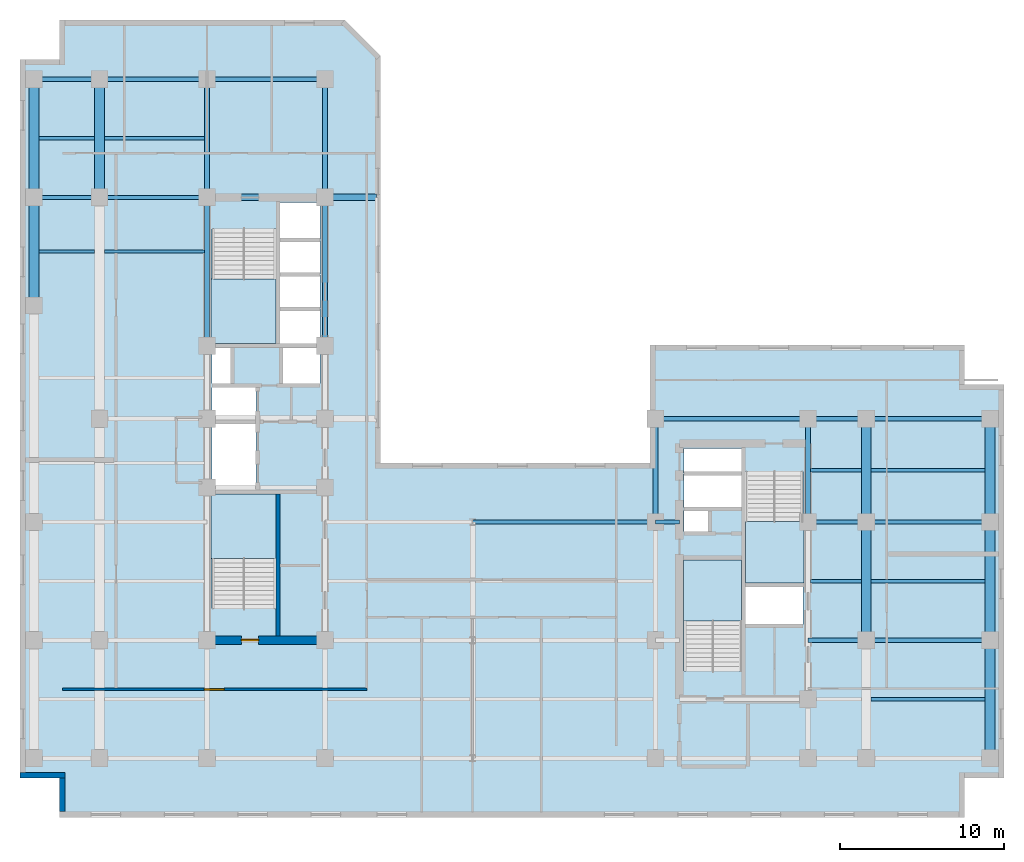
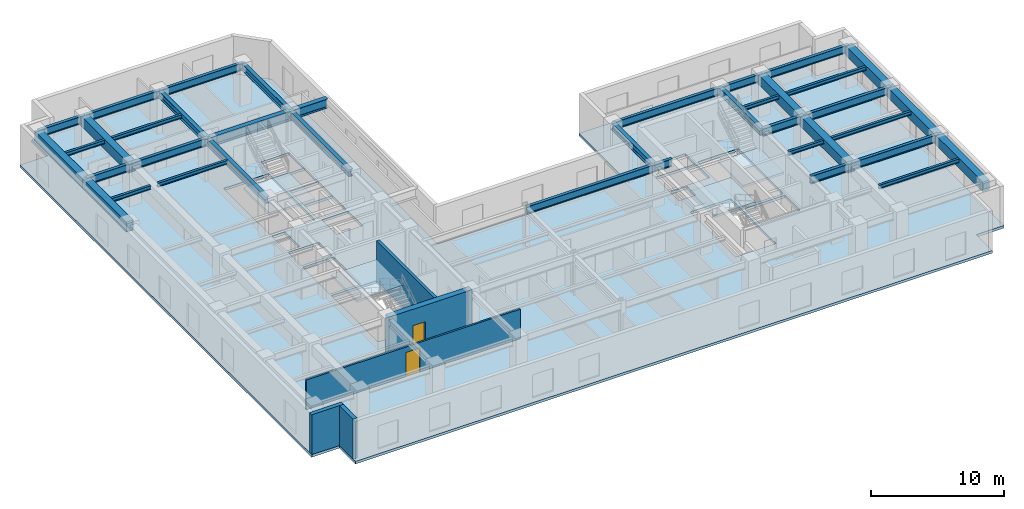
# One storey, part 2 of 9: 38 beams, 5 slabs, 5 walls, 2 doors, 2 openings, 4 elements without a shape of their own.
"""IFC4 building model written with IfcOpenShell, lengths in metres."""

from ifc_helpers import new_model, entity, si_unit, converted_unit, direction, frame, origin_with_axes, origin_2d_with_axis, place, context, subcontext, project, spatial, polyline, rectangle, i_section, outline, extrude, material, layer, layer_set, material_profile, profile_set, type_object, element, fill, aggregate, save


model = new_model("IFC4")

# Units and contexts
model_context = context("Model", 3, precision=1e-05, world=origin_with_axes(), true_north=direction((0.0, 1.0)))
body_context = subcontext(model_context, "Body", "Model", "MODEL_VIEW")
ifc_project = project(units=[si_unit("LENGTHUNIT", "METRE"), si_unit("AREAUNIT", "SQUARE_METRE"), si_unit("VOLUMEUNIT", "CUBIC_METRE"), converted_unit("PLANEANGLEUNIT", "DEGREE", entity("IfcPlaneAngleMeasure", 0.017453292519943295), si_unit("PLANEANGLEUNIT", "RADIAN"), dimensions=[0, 0, 0, 0, 0, 0, 0]), si_unit("MASSUNIT", "GRAM", prefix="KILO"), si_unit("THERMODYNAMICTEMPERATUREUNIT", "KELVIN")], contexts=[model_context])

# Site, building, storey
site_placement = place(None, origin_with_axes())
site = spatial("IfcSite", under=ifc_project, at=site_placement, CompositionType="ELEMENT")
building_placement = place(site_placement, origin_with_axes())
building = spatial("IfcBuilding", under=site, at=building_placement, Name="Varnlund Millrace Tower", CompositionType="ELEMENT")
storey_placement = place(building_placement, frame((0.0, 0.0, 140.7), z_axis=(0.0, 0.0, 1.0), x_axis=(1.0, 0.0, 0.0)))
storey = spatial("IfcBuildingStorey", under=building, at=storey_placement, Name="L34", CompositionType="ELEMENT", Elevation=140.7)

# Beams
ifc_material_1 = material(Name="Steel ASTM A992 Grade 50", Category="steel")
ifc_material_profile_1 = material_profile(ifc_material_1, i_section(OverallWidth=0.328, OverallDepth=0.628, WebThickness=0.0165, FlangeThickness=0.0277, FilletRadius=0.018, at=origin_2d_with_axis()), Name="Steel ASTM A992 Grade 50")
ifc_profile_set_1 = profile_set([ifc_material_profile_1], Name="Steel ASTM A992 Grade 50")
beam_type_1 = type_object("IfcBeamType", Name="Type-Girder-W24X146", PredefinedType="USERDEFINED", material=ifc_profile_set_1)
beam_1_placement = place(storey_placement, frame((11.4, 28.75, 3.346), z_axis=(0.0, 1.0, 0.0), x_axis=(-1.0, 0.0, 0.0)))
element("IfcBeam", 1, at=beam_1_placement, inside=storey, type_object=beam_type_1, Name="Type-Girder-W24X146", ObjectType="GIRDER", PredefinedType="USERDEFINED", context=body_context, shape_type="SweptSolid", body=[
    extrude(i_section(OverallWidth=0.328, OverallDepth=0.628, WebThickness=0.0165, FlangeThickness=0.0277, FilletRadius=0.018, at=origin_2d_with_axis()), origin_with_axes(), (0.0, 0.0, 1.0), 9.05),
])
beam_2_placement = place(storey_placement, frame((11.4, 37.8, 3.346), z_axis=(0.0, 1.0, 0.0), x_axis=(-1.0, 0.0, 0.0)))
element("IfcBeam", 2, at=beam_2_placement, inside=storey, type_object=beam_type_1, Name="Type-Girder-W24X146", ObjectType="GIRDER", PredefinedType="USERDEFINED", context=body_context, shape_type="SweptSolid", body=[
    extrude(i_section(OverallWidth=0.328, OverallDepth=0.628, WebThickness=0.0165, FlangeThickness=0.0277, FilletRadius=0.018, at=origin_2d_with_axis()), origin_with_axes(), (0.0, 0.0, 1.0), 7.2),
])
beam_3_placement = place(storey_placement, frame((18.6, 28.75, 3.346), z_axis=(0.0, 1.0, 0.0), x_axis=(-1.0, 0.0, 0.0)))
element("IfcBeam", 3, at=beam_3_placement, inside=storey, type_object=beam_type_1, Name="Type-Girder-W24X146", ObjectType="GIRDER", PredefinedType="USERDEFINED", context=body_context, shape_type="SweptSolid", body=[
    extrude(i_section(OverallWidth=0.328, OverallDepth=0.628, WebThickness=0.0165, FlangeThickness=0.0277, FilletRadius=0.018, at=origin_2d_with_axis()), origin_with_axes(), (0.0, 0.0, 1.0), 9.05),
])
beam_4_placement = place(storey_placement, frame((18.6, 37.8, 3.346), z_axis=(0.0, 1.0, 0.0), x_axis=(-1.0, 0.0, 0.0)))
element("IfcBeam", 4, at=beam_4_placement, inside=storey, type_object=beam_type_1, Name="Type-Girder-W24X146", ObjectType="GIRDER", PredefinedType="USERDEFINED", context=body_context, shape_type="SweptSolid", body=[
    extrude(i_section(OverallWidth=0.328, OverallDepth=0.628, WebThickness=0.0165, FlangeThickness=0.0277, FilletRadius=0.018, at=origin_2d_with_axis()), origin_with_axes(), (0.0, 0.0, 1.0), 7.2),
])
for number, where, z_axis, x_axis, name in (
    (5, (38.75, 18.0, 3.346), (0.0, 1.0, 0.0), (-1.0, 0.0, 0.0), "Type-Girder-W24X146"),
    (6, (48.05, 18.0, 3.346), (0.0, 1.0, 0.0), (-1.0, 0.0, 0.0), "Type-Girder-W24X146"),
):
    element("IfcBeam", number, at=place(storey_placement, frame(where, z_axis=z_axis, x_axis=x_axis)), inside=storey, type_object=beam_type_1, Name=name, ObjectType="GIRDER", PredefinedType="USERDEFINED", context=body_context, shape_type="SweptSolid", body=[
        extrude(i_section(OverallWidth=0.328, OverallDepth=0.628, WebThickness=0.0165, FlangeThickness=0.0277, FilletRadius=0.018, at=origin_2d_with_axis()), origin_with_axes(), (0.0, 0.0, 1.0), 6.3),
    ])
ifc_material_profile_2 = material_profile(ifc_material_1, i_section(OverallWidth=0.256, OverallDepth=0.693, WebThickness=0.0145, FlangeThickness=0.0236, FilletRadius=0.018, at=origin_2d_with_axis()), Name="Steel ASTM A992 Grade 50")
ifc_profile_set_2 = profile_set([ifc_material_profile_2], Name="Steel ASTM A992 Grade 50")
beam_type_2 = type_object("IfcBeamType", Name="Type-Girder-W27X114", PredefinedType="USERDEFINED", material=ifc_profile_set_2)
beam_5_placement = place(storey_placement, frame((48.05, 10.8, 3.3135), z_axis=(1.0, 0.0, 0.0), x_axis=(0.0, 1.0, 0.0)))
element("IfcBeam", 7, at=beam_5_placement, inside=storey, type_object=beam_type_2, Name="Type-Girder-W27X114", ObjectType="GIRDER", PredefinedType="USERDEFINED", context=body_context, shape_type="SweptSolid", body=[
    extrude(i_section(OverallWidth=0.256, OverallDepth=0.693, WebThickness=0.0145, FlangeThickness=0.0236, FilletRadius=0.018, at=origin_2d_with_axis()), origin_with_axes(), (0.0, 0.0, 1.0), 3.55),
])
beam_6_placement = place(storey_placement, frame((51.6, 10.8, 3.3135), z_axis=(1.0, 0.0, 0.0), x_axis=(0.0, 1.0, 0.0)))
element("IfcBeam", 8, at=beam_6_placement, inside=storey, type_object=beam_type_2, Name="Type-Girder-W27X114", ObjectType="GIRDER", PredefinedType="USERDEFINED", context=body_context, shape_type="SweptSolid", body=[
    extrude(i_section(OverallWidth=0.256, OverallDepth=0.693, WebThickness=0.0145, FlangeThickness=0.0236, FilletRadius=0.018, at=origin_2d_with_axis()), origin_with_axes(), (0.0, 0.0, 1.0), 7.55),
])
beam_7_placement = place(storey_placement, frame((27.6, 18.0, 3.3135), z_axis=(1.0, 0.0, 0.0), x_axis=(0.0, 1.0, 0.0)))
element("IfcBeam", 9, at=beam_7_placement, inside=storey, type_object=beam_type_2, Name="Type-Girder-W27X114", ObjectType="GIRDER", PredefinedType="USERDEFINED", context=body_context, shape_type="SweptSolid", body=[
    extrude(i_section(OverallWidth=0.256, OverallDepth=0.693, WebThickness=0.0145, FlangeThickness=0.0236, FilletRadius=0.018, at=origin_2d_with_axis()), origin_with_axes(), (0.0, 0.0, 1.0), 11.15),
])
beam_8_placement = place(storey_placement, frame((38.75, 18.0, 3.3135), z_axis=(1.0, 0.0, 0.0), x_axis=(0.0, 1.0, 0.0)))
element("IfcBeam", 10, at=beam_8_placement, inside=storey, type_object=beam_type_2, Name="Type-Girder-W27X114", ObjectType="GIRDER", PredefinedType="USERDEFINED", context=body_context, shape_type="SweptSolid", body=[
    extrude(i_section(OverallWidth=0.256, OverallDepth=0.693, WebThickness=0.0145, FlangeThickness=0.0236, FilletRadius=0.018, at=origin_2d_with_axis()), origin_with_axes(), (0.0, 0.0, 1.0), 1.45),
])
beam_9_placement = place(storey_placement, frame((48.05, 18.0, 3.3135), z_axis=(1.0, 0.0, 0.0), x_axis=(0.0, 1.0, 0.0)))
element("IfcBeam", 11, at=beam_9_placement, inside=storey, type_object=beam_type_2, Name="Type-Girder-W27X114", ObjectType="GIRDER", PredefinedType="USERDEFINED", context=body_context, shape_type="SweptSolid", body=[
    extrude(i_section(OverallWidth=0.256, OverallDepth=0.693, WebThickness=0.0145, FlangeThickness=0.0236, FilletRadius=0.018, at=origin_2d_with_axis()), origin_with_axes(), (0.0, 0.0, 1.0), 3.55),
])
beam_10_placement = place(storey_placement, frame((51.6, 18.0, 3.3135), z_axis=(1.0, 0.0, 0.0), x_axis=(0.0, 1.0, 0.0)))
element("IfcBeam", 12, at=beam_10_placement, inside=storey, type_object=beam_type_2, Name="Type-Girder-W27X114", ObjectType="GIRDER", PredefinedType="USERDEFINED", context=body_context, shape_type="SweptSolid", body=[
    extrude(i_section(OverallWidth=0.256, OverallDepth=0.693, WebThickness=0.0145, FlangeThickness=0.0236, FilletRadius=0.018, at=origin_2d_with_axis()), origin_with_axes(), (0.0, 0.0, 1.0), 7.55),
])
beam_11_placement = place(storey_placement, frame((38.75, 24.3, 3.3135), z_axis=(1.0, 0.0, 0.0), x_axis=(0.0, 1.0, 0.0)))
element("IfcBeam", 13, at=beam_11_placement, inside=storey, type_object=beam_type_2, Name="Type-Girder-W27X114", ObjectType="GIRDER", PredefinedType="USERDEFINED", context=body_context, shape_type="SweptSolid", body=[
    extrude(i_section(OverallWidth=0.256, OverallDepth=0.693, WebThickness=0.0145, FlangeThickness=0.0236, FilletRadius=0.018, at=origin_2d_with_axis()), origin_with_axes(), (0.0, 0.0, 1.0), 9.3),
])
beam_12_placement = place(storey_placement, frame((48.05, 24.3, 3.3135), z_axis=(1.0, 0.0, 0.0), x_axis=(0.0, 1.0, 0.0)))
element("IfcBeam", 14, at=beam_12_placement, inside=storey, type_object=beam_type_2, Name="Type-Girder-W27X114", ObjectType="GIRDER", PredefinedType="USERDEFINED", context=body_context, shape_type="SweptSolid", body=[
    extrude(i_section(OverallWidth=0.256, OverallDepth=0.693, WebThickness=0.0145, FlangeThickness=0.0236, FilletRadius=0.018, at=origin_2d_with_axis()), origin_with_axes(), (0.0, 0.0, 1.0), 3.55),
])
beam_13_placement = place(storey_placement, frame((51.6, 24.3, 3.3135), z_axis=(1.0, 0.0, 0.0), x_axis=(0.0, 1.0, 0.0)))
element("IfcBeam", 15, at=beam_13_placement, inside=storey, type_object=beam_type_2, Name="Type-Girder-W27X114", ObjectType="GIRDER", PredefinedType="USERDEFINED", context=body_context, shape_type="SweptSolid", body=[
    extrude(i_section(OverallWidth=0.256, OverallDepth=0.693, WebThickness=0.0145, FlangeThickness=0.0236, FilletRadius=0.018, at=origin_2d_with_axis()), origin_with_axes(), (0.0, 0.0, 1.0), 7.55),
])
beam_14_placement = place(storey_placement, frame((0.85, 37.8, 3.3135), z_axis=(1.0, 0.0, 0.0), x_axis=(0.0, 1.0, 0.0)))
element("IfcBeam", 16, at=beam_14_placement, inside=storey, type_object=beam_type_2, Name="Type-Girder-W27X114", ObjectType="GIRDER", PredefinedType="USERDEFINED", context=body_context, shape_type="SweptSolid", body=[
    extrude(i_section(OverallWidth=0.256, OverallDepth=0.693, WebThickness=0.0145, FlangeThickness=0.0236, FilletRadius=0.018, at=origin_2d_with_axis()), origin_with_axes(), (0.0, 0.0, 1.0), 4.0),
])
beam_15_placement = place(storey_placement, frame((4.85, 37.8, 3.3135), z_axis=(1.0, 0.0, 0.0), x_axis=(0.0, 1.0, 0.0)))
element("IfcBeam", 17, at=beam_15_placement, inside=storey, type_object=beam_type_2, Name="Type-Girder-W27X114", ObjectType="GIRDER", PredefinedType="USERDEFINED", context=body_context, shape_type="SweptSolid", body=[
    extrude(i_section(OverallWidth=0.256, OverallDepth=0.693, WebThickness=0.0145, FlangeThickness=0.0236, FilletRadius=0.018, at=origin_2d_with_axis()), origin_with_axes(), (0.0, 0.0, 1.0), 6.55),
])
beam_16_placement = place(storey_placement, frame((0.85, 45.0, 3.3135), z_axis=(1.0, 0.0, 0.0), x_axis=(0.0, 1.0, 0.0)))
element("IfcBeam", 18, at=beam_16_placement, inside=storey, type_object=beam_type_2, Name="Type-Girder-W27X114", ObjectType="GIRDER", PredefinedType="USERDEFINED", context=body_context, shape_type="SweptSolid", body=[
    extrude(i_section(OverallWidth=0.256, OverallDepth=0.693, WebThickness=0.0145, FlangeThickness=0.0236, FilletRadius=0.018, at=origin_2d_with_axis()), origin_with_axes(), (0.0, 0.0, 1.0), 4.0),
])
beam_17_placement = place(storey_placement, frame((4.85, 45.0, 3.3135), z_axis=(1.0, 0.0, 0.0), x_axis=(0.0, 1.0, 0.0)))
element("IfcBeam", 19, at=beam_17_placement, inside=storey, type_object=beam_type_2, Name="Type-Girder-W27X114", ObjectType="GIRDER", PredefinedType="USERDEFINED", context=body_context, shape_type="SweptSolid", body=[
    extrude(i_section(OverallWidth=0.256, OverallDepth=0.693, WebThickness=0.0145, FlangeThickness=0.0236, FilletRadius=0.018, at=origin_2d_with_axis()), origin_with_axes(), (0.0, 0.0, 1.0), 6.55),
])
beam_18_placement = place(storey_placement, frame((11.4, 45.0, 3.3135), z_axis=(1.0, 0.0, 0.0), x_axis=(0.0, 1.0, 0.0)))
element("IfcBeam", 20, at=beam_18_placement, inside=storey, type_object=beam_type_2, Name="Type-Girder-W27X114", ObjectType="GIRDER", PredefinedType="USERDEFINED", context=body_context, shape_type="SweptSolid", body=[
    extrude(i_section(OverallWidth=0.256, OverallDepth=0.693, WebThickness=0.0145, FlangeThickness=0.0236, FilletRadius=0.018, at=origin_2d_with_axis()), origin_with_axes(), (0.0, 0.0, 1.0), 7.2),
])
ifc_material_profile_3 = material_profile(ifc_material_1, i_section(OverallWidth=0.399, OverallDepth=0.855, WebThickness=0.0182, FlangeThickness=0.0292, FilletRadius=0.022, at=origin_2d_with_axis()), Name="Steel ASTM A992 Grade 50")
ifc_profile_set_3 = profile_set([ifc_material_profile_3], Name="Steel ASTM A992 Grade 50")
beam_type_3 = type_object("IfcBeamType", Name="Type-Girder-W33X201", PredefinedType="USERDEFINED", material=ifc_profile_set_3)
beam_19_placement = place(storey_placement, frame((11.4, 37.8, 3.2325), z_axis=(1.0, 0.0, 0.0), x_axis=(0.0, 1.0, 0.0)))
element("IfcBeam", 21, at=beam_19_placement, inside=storey, type_object=beam_type_3, Name="Type-Girder-W33X201", ObjectType="GIRDER", PredefinedType="USERDEFINED", context=body_context, shape_type="SweptSolid", body=[
    extrude(i_section(OverallWidth=0.399, OverallDepth=0.855, WebThickness=0.0182, FlangeThickness=0.0292, FilletRadius=0.022, at=origin_2d_with_axis()), origin_with_axes(), (0.0, 0.0, 1.0), 10.339),
])
ifc_material_profile_4 = material_profile(ifc_material_1, i_section(OverallWidth=0.204, OverallDepth=0.35, WebThickness=0.0086, FlangeThickness=0.0151, FilletRadius=0.013, at=origin_2d_with_axis()), Name="Steel ASTM A992 Grade 50")
ifc_profile_set_4 = profile_set([ifc_material_profile_4], Name="Steel ASTM A992 Grade 50")
beam_type_4 = type_object("IfcBeamType", Name="Type-Joist-W14X48", PredefinedType="JOIST", material=ifc_profile_set_4)
for number, where, z_axis, x_axis, name in (
    (22, (1.15, 34.5, 3.485), (1.0, 0.0, 0.0), (0.0, 1.0, 0.0), "Type-Joist-W14X48"),
    (23, (1.15, 41.4, 3.485), (1.0, 0.0, 0.0), (0.0, 1.0, 0.0), "Type-Joist-W14X48"),
):
    element("IfcBeam", number, at=place(storey_placement, frame(where, z_axis=z_axis, x_axis=x_axis)), inside=storey, type_object=beam_type_4, Name=name, PredefinedType="JOIST", context=body_context, shape_type="SweptSolid", body=[
        extrude(i_section(OverallWidth=0.204, OverallDepth=0.35, WebThickness=0.0086, FlangeThickness=0.0151, FilletRadius=0.013, at=origin_2d_with_axis()), origin_with_axes(), (0.0, 0.0, 1.0), 3.4),
    ])
for number, where, z_axis, x_axis, name in (
    (24, (5.15, 34.5, 3.485), (1.0, 0.0, 0.0), (0.0, 1.0, 0.0), "Type-Joist-W14X48"),
    (25, (5.15, 41.4, 3.485), (1.0, 0.0, 0.0), (0.0, 1.0, 0.0), "Type-Joist-W14X48"),
):
    element("IfcBeam", number, at=place(storey_placement, frame(where, z_axis=z_axis, x_axis=x_axis)), inside=storey, type_object=beam_type_4, Name=name, PredefinedType="JOIST", context=body_context, shape_type="SweptSolid", body=[
        extrude(i_section(OverallWidth=0.204, OverallDepth=0.35, WebThickness=0.0086, FlangeThickness=0.0151, FilletRadius=0.013, at=origin_2d_with_axis()), origin_with_axes(), (0.0, 0.0, 1.0), 6.086),
    ])
for number, where, z_axis, x_axis, name in (
    (26, (48.214, 14.4, 3.485), (1.0, 0.0, 0.0), (0.0, 1.0, 0.0), "Type-Joist-W14X48"),
    (27, (48.214, 21.15, 3.485), (1.0, 0.0, 0.0), (0.0, 1.0, 0.0), "Type-Joist-W14X48"),
):
    element("IfcBeam", number, at=place(storey_placement, frame(where, z_axis=z_axis, x_axis=x_axis)), inside=storey, type_object=beam_type_4, Name=name, PredefinedType="JOIST", context=body_context, shape_type="SweptSolid", body=[
        extrude(i_section(OverallWidth=0.204, OverallDepth=0.35, WebThickness=0.0086, FlangeThickness=0.0151, FilletRadius=0.013, at=origin_2d_with_axis()), origin_with_axes(), (0.0, 0.0, 1.0), 3.086),
    ])
for number, where, z_axis, x_axis, name in (
    (28, (51.9, 7.2, 3.485), (1.0, 0.0, 0.0), (0.0, 1.0, 0.0), "Type-Joist-W14X48"),
    (29, (51.9, 14.4, 3.485), (1.0, 0.0, 0.0), (0.0, 1.0, 0.0), "Type-Joist-W14X48"),
    (30, (51.9, 21.15, 3.485), (1.0, 0.0, 0.0), (0.0, 1.0, 0.0), "Type-Joist-W14X48"),
):
    element("IfcBeam", number, at=place(storey_placement, frame(where, z_axis=z_axis, x_axis=x_axis)), inside=storey, type_object=beam_type_4, Name=name, PredefinedType="JOIST", context=body_context, shape_type="SweptSolid", body=[
        extrude(i_section(OverallWidth=0.204, OverallDepth=0.35, WebThickness=0.0086, FlangeThickness=0.0151, FilletRadius=0.013, at=origin_2d_with_axis()), origin_with_axes(), (0.0, 0.0, 1.0), 6.95),
    ])
ifc_material_2 = material(Name="Concrete C70/85", Category="concrete")
ifc_material_profile_5 = material_profile(ifc_material_2, rectangle(XDim=0.6, YDim=0.9, at=origin_2d_with_axis()), Name="Concrete C70/85")
ifc_profile_set_5 = profile_set([ifc_material_profile_5], Name="Concrete C70/85")
beam_type_5 = type_object("IfcBeamType", Name="Type-Spandrel-RC600X900", PredefinedType="SPANDREL", material=ifc_profile_set_5)
beam_20_placement = place(storey_placement, frame((0.85, 31.2, 3.21), z_axis=(0.0, 1.0, 0.0), x_axis=(-1.0, 0.0, 0.0)))
element("IfcBeam", 31, at=beam_20_placement, inside=storey, type_object=beam_type_5, Name="Type-Spandrel-RC600X900", PredefinedType="SPANDREL", context=body_context, shape_type="SweptSolid", body=[
    extrude(rectangle(XDim=0.6, YDim=0.9, at=origin_2d_with_axis()), origin_with_axes(), (0.0, 0.0, 1.0), 6.6),
])
for number, where, z_axis, x_axis, name in (
    (32, (0.85, 37.8, 3.21), (0.0, 1.0, 0.0), (-1.0, 0.0, 0.0), "Type-Spandrel-RC600X900"),
    (33, (4.85, 37.8, 3.21), (0.0, 1.0, 0.0), (-1.0, 0.0, 0.0), "Type-Spandrel-RC600X900"),
    (34, (51.6, 10.8, 3.21), (0.0, 1.0, 0.0), (-1.0, 0.0, 0.0), "Type-Spandrel-RC600X900"),
):
    element("IfcBeam", number, at=place(storey_placement, frame(where, z_axis=z_axis, x_axis=x_axis)), inside=storey, type_object=beam_type_5, Name=name, PredefinedType="SPANDREL", context=body_context, shape_type="SweptSolid", body=[
        extrude(rectangle(XDim=0.6, YDim=0.9, at=origin_2d_with_axis()), origin_with_axes(), (0.0, 0.0, 1.0), 7.2),
    ])
beam_21_placement = place(storey_placement, frame((51.6, 18.0, 3.21), z_axis=(0.0, 1.0, 0.0), x_axis=(-1.0, 0.0, 0.0)))
element("IfcBeam", 35, at=beam_21_placement, inside=storey, type_object=beam_type_5, Name="Type-Spandrel-RC600X900", PredefinedType="SPANDREL", context=body_context, shape_type="SweptSolid", body=[
    extrude(rectangle(XDim=0.6, YDim=0.9, at=origin_2d_with_axis()), origin_with_axes(), (0.0, 0.0, 1.0), 6.3),
])
for number, where, z_axis, x_axis, name in (
    (36, (59.15, 3.6, 3.21), (0.0, 1.0, 0.0), (-1.0, 0.0, 0.0), "Type-Spandrel-RC600X900"),
    (37, (59.15, 10.8, 3.21), (0.0, 1.0, 0.0), (-1.0, 0.0, 0.0), "Type-Spandrel-RC600X900"),
):
    element("IfcBeam", number, at=place(storey_placement, frame(where, z_axis=z_axis, x_axis=x_axis)), inside=storey, type_object=beam_type_5, Name=name, PredefinedType="SPANDREL", context=body_context, shape_type="SweptSolid", body=[
        extrude(rectangle(XDim=0.6, YDim=0.9, at=origin_2d_with_axis()), origin_with_axes(), (0.0, 0.0, 1.0), 7.2),
    ])
beam_22_placement = place(storey_placement, frame((59.15, 18.0, 3.21), z_axis=(0.0, 1.0, 0.0), x_axis=(-1.0, 0.0, 0.0)))
element("IfcBeam", 38, at=beam_22_placement, inside=storey, type_object=beam_type_5, Name="Type-Spandrel-RC600X900", PredefinedType="SPANDREL", context=body_context, shape_type="SweptSolid", body=[
    extrude(rectangle(XDim=0.6, YDim=0.9, at=origin_2d_with_axis()), origin_with_axes(), (0.0, 0.0, 1.0), 6.3),
])

# Slab
ifc_material_3 = material(Name="Concrete C60/75", Category="concrete")
ifc_layer_1 = layer(ifc_material_3, 0.24, Name="Concrete C60/75")
ifc_layer_set_1 = layer_set([ifc_layer_1], Name="Concrete C60/75")
slab_type_1 = type_object("IfcSlabType", Name="Type-Deck-Plate-Typical-240", PredefinedType="FLOOR", material=ifc_layer_set_1)
slab_1_placement = place(storey_placement, frame((0.0, 0.0, -0.24), z_axis=(0.0, 0.0, 1.0), x_axis=(1.0, 0.0, 0.0)))
element("IfcSlab", 39, at=slab_1_placement, inside=storey, type_object=slab_type_1, Name="Type-Deck-Plate-Typical-240", PredefinedType="FLOOR", context=body_context, shape_type="SweptSolid", body=[
    extrude(outline(polyline([(21.989, 21.6), (21.989, 46.44), (19.829, 48.6), (2.4, 48.6), (2.4, 46.2), (0.0, 46.2), (0.0, 2.4), (2.4, 2.4), (2.4, 0.0), (57.6, 0.0), (57.6, 2.4), (60.0, 2.4), (60.0, 26.4), (57.6, 26.4), (57.6, 28.8), (38.4, 28.8), (38.4, 21.6), (21.989, 21.6)]), holes=[polyline([(15.6, 12.715), (11.7, 12.715), (11.7, 19.7), (15.6, 19.7), (15.6, 12.715)]), polyline([(14.38, 23.98), (14.38, 19.94), (11.7, 19.94), (11.7, 23.98), (14.38, 23.98)]), polyline([(14.38, 24.24), (11.7, 24.24), (11.7, 26.2), (14.38, 26.2), (14.38, 24.24)]), polyline([(12.84, 26.46), (11.7, 26.46), (11.7, 28.65), (12.84, 28.65), (12.84, 26.46)]), polyline([(18.3, 28.9), (15.84, 28.9), (15.84, 30.98), (18.3, 30.98), (18.3, 28.9)]), polyline([(18.3, 31.02), (15.84, 31.02), (15.84, 33.08), (18.3, 33.08), (18.3, 31.02)]), polyline([(15.6, 28.9), (11.7, 28.9), (11.7, 35.885), (15.6, 35.885), (15.6, 28.9)]), polyline([(18.3, 33.12), (15.84, 33.12), (15.84, 35.18), (18.3, 35.18), (18.3, 33.12)]), polyline([(44.0, 8.915), (40.5, 8.915), (40.5, 15.7), (44.0, 15.7), (44.0, 8.915)]), polyline([(47.75, 11.74), (44.25, 11.74), (44.25, 14.06), (47.75, 14.06), (47.75, 11.74)]), polyline([(47.75, 14.3), (44.25, 14.3), (44.25, 21.085), (47.75, 21.085), (47.75, 14.3)]), polyline([(41.95, 17.42), (40.5, 17.42), (40.5, 18.72), (41.95, 18.72), (41.95, 17.42)]), polyline([(44.0, 18.88), (40.5, 18.88), (40.5, 20.94), (44.0, 20.94), (44.0, 18.88)]), polyline([(44.0, 21.0), (40.5, 21.0), (40.5, 22.5), (44.0, 22.5), (44.0, 21.0)]), polyline([(16.04, 26.46), (16.04, 28.65), (18.3, 28.65), (18.3, 26.46), (16.04, 26.46)]), polyline([(15.84, 35.22), (15.84, 37.5), (18.3, 37.5), (18.3, 35.22), (15.84, 35.22)])]), origin_with_axes(), (0.0, 0.0, 1.0), 0.24),
])

# Stair, slab
ifc_material_4 = material(Name="Concrete C50/60", Category="concrete")
stair_type_1 = type_object("IfcStairType", Name="Type-Stair-Dogleg-185-390", PredefinedType="HALF_TURN_STAIR", material=ifc_material_4)
stair_1_placement = place(storey_placement, origin_with_axes())
stair_1 = element("IfcStair", 40, at=stair_1_placement, inside=storey, type_object=stair_type_1, Name="Type-Stair-Dogleg-185-390", PredefinedType="HALF_TURN_STAIR")
ifc_layer_2 = layer(ifc_material_4, 0.2, Name="Concrete C50/60")
ifc_layer_set_2 = layer_set([ifc_layer_2], Name="Concrete C50/60")
slab_type_2 = type_object("IfcSlabType", Name="Type-StairLanding-200", PredefinedType="LANDING", material=ifc_layer_set_2)
slab_2_placement = place(storey_placement, frame((0.0, 0.0, 1.75), z_axis=(0.0, 0.0, 1.0), x_axis=(1.0, 0.0, 0.0)))
slab_2 = element("IfcSlab", 41, at=slab_2_placement, type_object=slab_type_2, Name="ST-A1 landing 1", PredefinedType="LANDING", context=body_context, shape_type="SweptSolid", body=[
    extrude(outline(polyline([(15.6, 15.78), (15.6, 19.7), (11.65, 19.7), (11.65, 15.78), (15.6, 15.78)])), origin_with_axes(), (0.0, 0.0, 1.0), 0.2),
])
aggregate(stair_1, [slab_2])

stair_2_placement = place(storey_placement, origin_with_axes())
stair_2 = element("IfcStair", 42, at=stair_2_placement, inside=storey, type_object=stair_type_1, Name="Type-Stair-Dogleg-185-390", PredefinedType="HALF_TURN_STAIR")
slab_3_placement = place(storey_placement, frame((0.0, 0.0, 1.75), z_axis=(0.0, 0.0, 1.0), x_axis=(1.0, 0.0, 0.0)))
slab_3 = element("IfcSlab", 43, at=slab_3_placement, type_object=slab_type_2, Name="ST-A2 landing 1", PredefinedType="LANDING", context=body_context, shape_type="SweptSolid", body=[
    extrude(outline(polyline([(11.65, 32.82), (11.65, 28.9), (15.6, 28.9), (15.6, 32.82), (11.65, 32.82)])), origin_with_axes(), (0.0, 0.0, 1.0), 0.2),
])
aggregate(stair_2, [slab_3])

stair_type_2 = type_object("IfcStairType", Name="Type-Stair-Dogleg-165-390", PredefinedType="HALF_TURN_STAIR", material=ifc_material_4)
stair_3_placement = place(storey_placement, origin_with_axes())
stair_3 = element("IfcStair", 44, at=stair_3_placement, inside=storey, type_object=stair_type_2, Name="Type-Stair-Dogleg-165-390", PredefinedType="HALF_TURN_STAIR")
slab_4_placement = place(storey_placement, frame((0.0, 0.0, 1.75), z_axis=(0.0, 0.0, 1.0), x_axis=(1.0, 0.0, 0.0)))
slab_4 = element("IfcSlab", 45, at=slab_4_placement, type_object=slab_type_2, Name="ST-B1 landing 1", PredefinedType="LANDING", context=body_context, shape_type="SweptSolid", body=[
    extrude(outline(polyline([(44.0, 11.98), (44.0, 15.7), (40.45, 15.7), (40.45, 11.98), (44.0, 11.98)])), origin_with_axes(), (0.0, 0.0, 1.0), 0.2),
])
aggregate(stair_3, [slab_4])

stair_4_placement = place(storey_placement, origin_with_axes())
stair_4 = element("IfcStair", 46, at=stair_4_placement, inside=storey, type_object=stair_type_2, Name="Type-Stair-Dogleg-165-390", PredefinedType="HALF_TURN_STAIR")
slab_5_placement = place(storey_placement, frame((0.0, 0.0, 1.75), z_axis=(0.0, 0.0, 1.0), x_axis=(1.0, 0.0, 0.0)))
slab_5 = element("IfcSlab", 47, at=slab_5_placement, type_object=slab_type_2, Name="ST-B2 landing 1", PredefinedType="LANDING", context=body_context, shape_type="SweptSolid", body=[
    extrude(outline(polyline([(44.25, 18.02), (44.25, 14.3), (47.8, 14.3), (47.8, 18.02), (44.25, 18.02)])), origin_with_axes(), (0.0, 0.0, 1.0), 0.2),
])
aggregate(stair_4, [slab_5])

# Wall, opening, door
ifc_layer_3 = layer(ifc_material_2, 0.5, Name="Concrete C70/85")
ifc_layer_set_3 = layer_set([ifc_layer_3], Name="Concrete C70/85")
wall_type_1 = type_object("IfcWallType", Name="Type-CoreWall-Shear-500-C70", PredefinedType="SHEAR", material=ifc_layer_set_3)
wall_1_placement = place(storey_placement, frame((11.4, 10.8, 0.0), z_axis=(0.0, 0.0, 1.0), x_axis=(1.0, 0.0, 0.0)))
wall_1 = element("IfcWall", 48, at=wall_1_placement, inside=storey, type_object=wall_type_1, Name="Type-CoreWall-Shear-500-C70", PredefinedType="SHEAR", context=body_context, shape_type="SweptSolid", body=[
    extrude(outline(polyline([(0.0, -0.25), (7.2, -0.25), (7.2, 0.25), (0.0, 0.25), (0.0, -0.25)])), origin_with_axes(), (0.0, 0.0, 1.0), 3.66),
])
opening_1_placement = place(wall_1_placement, frame((2.625, 0.0, 0.0), z_axis=(0.0, 0.0, 1.0), x_axis=(1.0, 0.0, 0.0)))
opening_1 = element("IfcOpeningElement", 49, at=opening_1_placement, cuts=wall_1, Name="Opening L34:DR-STA1", PredefinedType="OPENING", context=body_context, shape_type="SweptSolid", body=[
    extrude(rectangle(XDim=1.05, YDim=0.52, at=origin_2d_with_axis()), origin_with_axes(), (0.0, 0.0, 1.0), 2.15),
])
ifc_material_5 = material(Name="Fire-rated hollow steel door", Category="steel")
door_type_1 = type_object("IfcDoorType", Name="Type-FireDoor-Stair-1050X2150", OperationType="NOTDEFINED", PredefinedType="DOOR", material=ifc_material_5)
door_1_placement = place(wall_1_placement, frame((2.625, 0.0, 0.0), z_axis=(0.0, 0.0, 1.0), x_axis=(1.0, 0.0, 0.0)))
door_1 = element("IfcDoor", 50, at=door_1_placement, inside=storey, type_object=door_type_1, Name="Type-FireDoor-Stair-1050X2150", OperationType="SINGLE_SWING_LEFT", OverallHeight=2.15, OverallWidth=1.05, PredefinedType="DOOR", context=body_context, shape_type="SweptSolid", body=[
    extrude(rectangle(XDim=1.05, YDim=0.09, at=origin_2d_with_axis()), origin_with_axes(), (0.0, 0.0, 1.0), 2.15),
])
fill(opening_1, door_1)

# Walls
ifc_material_6 = material(Name="Precast concrete C50/60", Category="concrete")
ifc_layer_4 = layer(ifc_material_6, 0.34, Name="Precast concrete C50/60")
ifc_layer_set_4 = layer_set([ifc_layer_4], Name="Precast concrete C50/60")
wall_type_2 = type_object("IfcWallType", Name="Type-ExtWall-Precast-Upper-340", PredefinedType="SOLIDWALL", material=ifc_layer_set_4)
wall_2_placement = place(storey_placement, frame((2.57, 0.34, 0.0), z_axis=(0.0, 0.0, 1.0), x_axis=(0.0, 1.0, 0.0)))
element("IfcWall", 51, at=wall_2_placement, inside=storey, type_object=wall_type_2, Name="Type-ExtWall-Precast-Upper-340", PredefinedType="SOLIDWALL", context=body_context, shape_type="SweptSolid", body=[
    extrude(outline(polyline([(0.0, -0.17), (2.06, -0.17), (2.06, 0.17), (0.0, 0.17), (0.0, -0.17)])), origin_with_axes(), (0.0, 0.0, 1.0), 3.66),
])
wall_3_placement = place(storey_placement, frame((2.74, 2.57, 0.0), z_axis=(0.0, 0.0, 1.0), x_axis=(-1.0, 0.0, 0.0)))
element("IfcWall", 52, at=wall_3_placement, inside=storey, type_object=wall_type_2, Name="Type-ExtWall-Precast-Upper-340", PredefinedType="SOLIDWALL", context=body_context, shape_type="SweptSolid", body=[
    extrude(outline(polyline([(0.0, -0.17), (2.74, -0.17), (2.74, 0.17), (0.0, 0.17), (0.0, -0.17)])), origin_with_axes(), (0.0, 0.0, 1.0), 3.66),
])

# Wall, opening, door
ifc_material_7 = material(Name="Fire-rated gypsum board on cold-formed steel framing", Category="steel")
ifc_layer_5 = layer(ifc_material_7, 0.16, Name="Fire-rated gypsum board on cold-formed steel framing")
ifc_layer_set_5 = layer_set([ifc_layer_5], Name="Fire-rated gypsum board on cold-formed steel framing")
wall_type_3 = type_object("IfcWallType", Name="Type-Partition-Corridor-160", PredefinedType="PARTITIONING", material=ifc_layer_set_5)
wall_4_placement = place(storey_placement, frame((2.6, 7.8, 0.0), z_axis=(0.0, 0.0, 1.0), x_axis=(1.0, 0.0, 0.0)))
wall_4 = element("IfcWall", 53, at=wall_4_placement, inside=storey, type_object=wall_type_3, Name="Type-Partition-Corridor-160", PredefinedType="PARTITIONING", context=body_context, shape_type="SweptSolid", body=[
    extrude(outline(polyline([(0.0, -0.08), (18.55, -0.08), (18.55, 0.08), (0.0, 0.08), (0.0, -0.08)])), origin_with_axes(), (0.0, 0.0, 1.0), 2.7),
])
opening_2_placement = place(wall_4_placement, frame((9.245, 0.0, 0.0), z_axis=(0.0, 0.0, 1.0), x_axis=(1.0, 0.0, 0.0)))
opening_2 = element("IfcOpeningElement", 54, at=opening_2_placement, cuts=wall_4, Name="Opening L34:DR-WAS-01", PredefinedType="OPENING", context=body_context, shape_type="SweptSolid", body=[
    extrude(rectangle(XDim=1.2, YDim=0.18, at=origin_2d_with_axis()), origin_with_axes(), (0.0, 0.0, 1.0), 2.2),
])
ifc_material_8 = material(Name="Wide executive white oak acoustic door")
door_type_2 = type_object("IfcDoorType", Name="Type-IntDoor-Exec-1200X2200", OperationType="NOTDEFINED", PredefinedType="DOOR", material=ifc_material_8)
door_2_placement = place(wall_4_placement, frame((9.245, 0.0, 0.0), z_axis=(0.0, 0.0, 1.0), x_axis=(1.0, 0.0, 0.0)))
door_2 = element("IfcDoor", 55, at=door_2_placement, inside=storey, type_object=door_type_2, Name="Type-IntDoor-Exec-1200X2200", OperationType="SINGLE_SWING_LEFT", OverallHeight=2.2, OverallWidth=1.2, PredefinedType="DOOR", context=body_context, shape_type="SweptSolid", body=[
    extrude(rectangle(XDim=1.2, YDim=0.09, at=origin_2d_with_axis()), origin_with_axes(), (0.0, 0.0, 1.0), 2.2),
])
fill(opening_2, door_2)

# Wall
ifc_layer_6 = layer(ifc_material_3, 0.25, Name="Concrete C60/75")
ifc_layer_set_6 = layer_set([ifc_layer_6], Name="Concrete C60/75")
wall_type_4 = type_object("IfcWallType", Name="Type-StairWall-Shear-250", PredefinedType="SHEAR", material=ifc_layer_set_6)
wall_5_placement = place(storey_placement, frame((15.725, 11.05, 0.0), z_axis=(0.0, 0.0, 1.0), x_axis=(0.0, 1.0, 0.0)))
element("IfcWall", 56, at=wall_5_placement, inside=storey, type_object=wall_type_4, Name="Type-StairWall-Shear-250", PredefinedType="SHEAR", context=body_context, shape_type="SweptSolid", body=[
    extrude(outline(polyline([(0.0, -0.125), (8.65, -0.125), (8.65, 0.125), (0.0, 0.125), (0.0, -0.125)])), origin_with_axes(), (0.0, 0.0, 1.0), 3.66),
])

save(model, "model.ifc")
